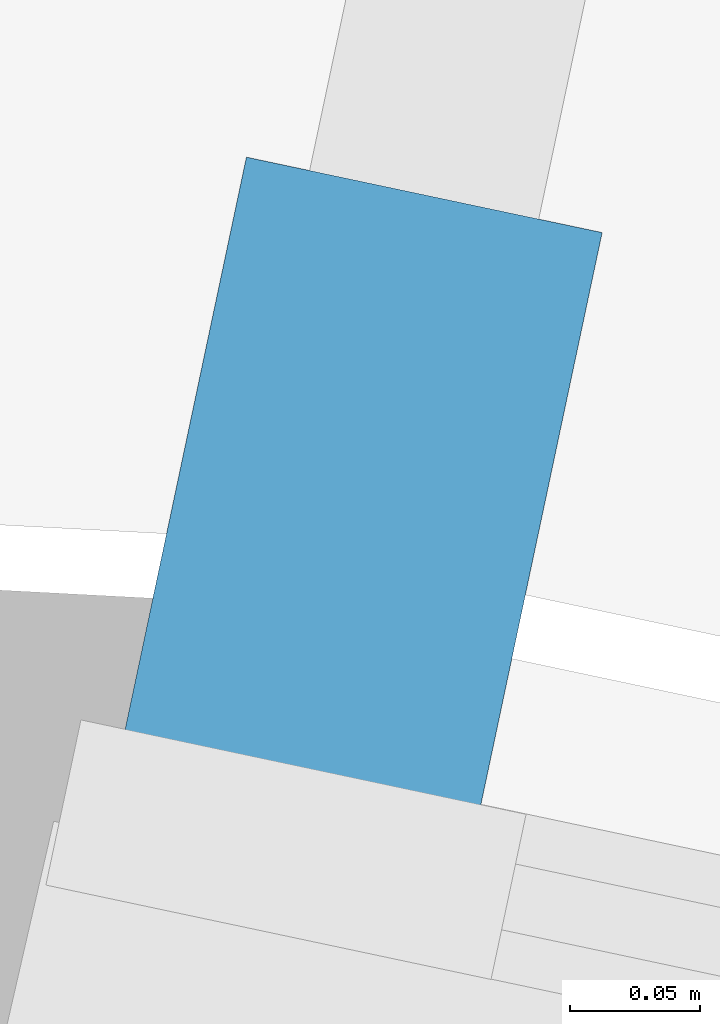
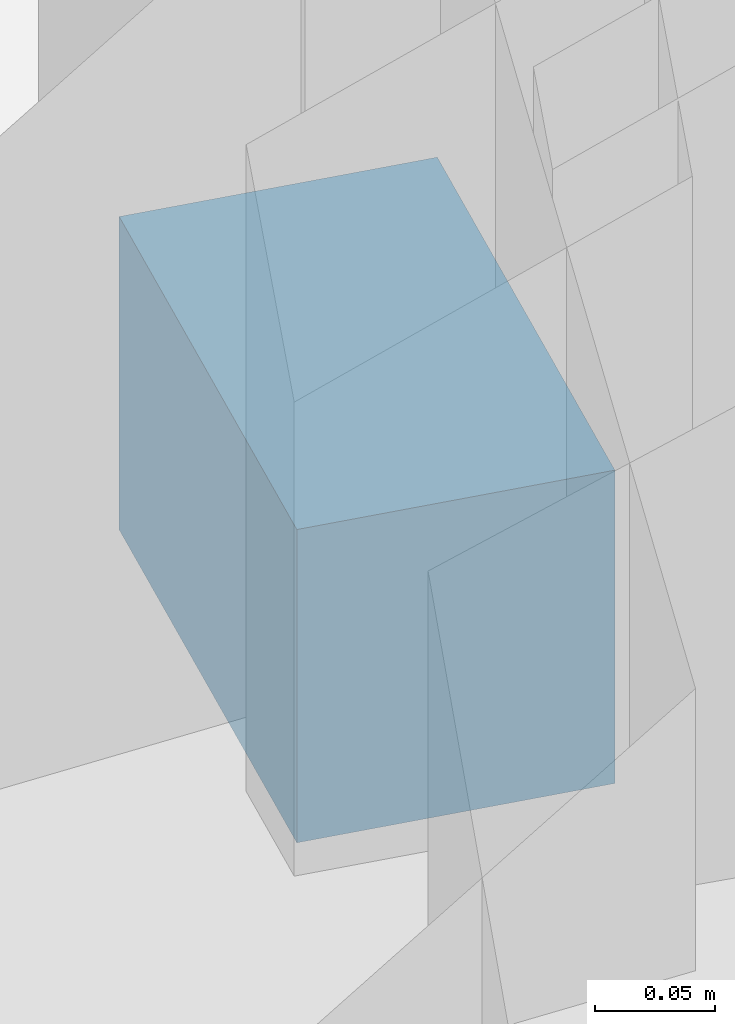
# One storey, part 10 of 14: 1 discrete accessory.
"""IFC4 building model written with IfcOpenShell, lengths in metres."""

import ifcopenshell
import ifcopenshell.guid

model = None  # the IFC model being written
_history = None  # IfcOwnerHistory: only IFC2X3 demands one
_inside = {}  # id of a spatial element -> (the spatial element, [elements in it])
_under = {}  # id of a project, library or spatial element -> (it, [spatial elements below it])
_declared = {}  # id of a project -> (the project, [libraries it declares])
_typed = {}  # id of a type object -> (the type object, [elements of that type])
_made_of = {}  # id of a material, layer set ... -> (it, [elements and type objects made of it])


def new_model(schema):
    """Start an empty IFC model of exactly this schema.

    Asked for "IFC4X3", IfcOpenShell would pick the latest addendum, in which some entities
    have other attributes; the version numbers below select the first issue.
    IFC2X3 requires an IfcOwnerHistory on every rooted entity: one is made here for all.
    """
    global model, _history
    if schema == "IFC4X3":
        model = ifcopenshell.file(schema_version=(4, 3, 0, 0))
    else:
        model = ifcopenshell.file(schema=schema)
    _inside.clear()
    _under.clear()
    _declared.clear()
    _typed.clear()
    _made_of.clear()
    _history = None
    if model.schema == "IFC2X3":
        org = make("IfcOrganization", Name="unknown")
        user = make(
            "IfcPersonAndOrganization",
            ThePerson=make("IfcPerson", FamilyName="unknown"),
            TheOrganization=org,
        )
        app = make(
            "IfcApplication",
            ApplicationDeveloper=org,
            Version="unknown",
            ApplicationFullName="unknown",
            ApplicationIdentifier="unknown",
        )
        _history = make(
            "IfcOwnerHistory",
            OwningUser=user,
            OwningApplication=app,
            ChangeAction="ADDED",
            CreationDate=0,
        )
    return model


def make(cls, **values):
    """One entity of the class cls with the attributes given. An attribute that is None is left unset."""
    return model.create_entity(
        cls, **{name: value for name, value in values.items() if value is not None}
    )


def rooted(cls, **values):
    """An entity with a GlobalId (a new one), such as an element, a storey or a relation."""
    return make(cls, GlobalId=ifcopenshell.guid.new(), OwnerHistory=_history, **values)


def si_unit(unit_type, name, prefix=None):
    """IfcSIUnit, for example si_unit("LENGTHUNIT", "METRE", prefix="MILLI")."""
    return make("IfcSIUnit", UnitType=unit_type, Prefix=prefix, Name=name)


def assignment(units):
    """IfcUnitAssignment: the units of a project."""
    return None if units is None else make("IfcUnitAssignment", Units=units)


def point(xyz):
    """IfcCartesianPoint."""
    return None if xyz is None else make("IfcCartesianPoint", Coordinates=xyz)


def direction(xyz):
    """IfcDirection."""
    return None if xyz is None else make("IfcDirection", DirectionRatios=xyz)


def frame(location, z_axis=None, x_axis=None):
    """IfcAxis2Placement3D, a coordinate frame: its origin and axes. An axis left out is left unset."""
    return make(
        "IfcAxis2Placement3D",
        Location=point(location),
        Axis=direction(z_axis),
        RefDirection=direction(x_axis),
    )


def frame_2d(location, x_axis=None):
    """IfcAxis2Placement2D, a coordinate frame in the plane: its origin and x axis."""
    return make(
        "IfcAxis2Placement2D", Location=point(location), RefDirection=direction(x_axis)
    )


def origin():
    """The frame at (0, 0, 0) with its axes left unset."""
    return frame((0.0, 0.0, 0.0))


def origin_2d():
    """The frame at (0, 0) in the plane with its x axis left unset."""
    return frame_2d((0.0, 0.0))


def place(relative_to, where):
    """IfcLocalPlacement: puts the frame where relative to a parent placement (None: the world)."""
    return make(
        "IfcLocalPlacement", PlacementRelTo=relative_to, RelativePlacement=where
    )


def context(
    kind, dimensions, precision=None, world=None, true_north=None, identifier=None
):
    """IfcGeometricRepresentationContext, for example the 3D "Model" context."""
    return make(
        "IfcGeometricRepresentationContext",
        ContextIdentifier=identifier,
        ContextType=kind,
        CoordinateSpaceDimension=dimensions,
        Precision=precision,
        WorldCoordinateSystem=world,
        TrueNorth=true_north,
    )


def subcontext(parent, identifier, kind, view, scale=None):
    """IfcGeometricRepresentationSubContext, for example "Body" below "Model"."""
    return make(
        "IfcGeometricRepresentationSubContext",
        ContextIdentifier=identifier,
        ContextType=kind,
        ParentContext=parent,
        TargetScale=scale,
        TargetView=view,
    )


def project(units=None, contexts=None):
    """IfcProject with its units and contexts."""
    return rooted(
        "IfcProject",
        Name="project",
        RepresentationContexts=contexts,
        UnitsInContext=assignment(units),
    )


def spatial(cls, under=None, at=None, **own):
    """A site, building, storey or space (cls), placed at a placement, below another one or the project."""
    s = rooted(cls, ObjectPlacement=at, **own)
    if under is not None:
        _under.setdefault(under.id(), (under, []))[1].append(s)
    return s


def profile(cls, at=None, kind="AREA", **sizes):
    """A parametric profile (cls). Its sizes go by their IFC names, for example OverallWidth=200.0."""
    return make(cls, ProfileType=kind, Position=at, **sizes)


def rectangle(**sizes):
    """IfcRectangleProfileDef."""
    return profile("IfcRectangleProfileDef", **sizes)


def extrude(swept, where, along, depth):
    """IfcExtrudedAreaSolid: the profile swept, set in the frame where, extruded along a direction by depth."""
    return make(
        "IfcExtrudedAreaSolid",
        SweptArea=swept,
        Position=where,
        ExtrudedDirection=direction(along),
        Depth=depth,
    )


def shape(context_of_items, identifier, shape_type, items):
    """IfcShapeRepresentation: the items that make up one representation, for example the "Body"."""
    return make(
        "IfcShapeRepresentation",
        ContextOfItems=context_of_items,
        RepresentationIdentifier=identifier,
        RepresentationType=shape_type,
        Items=items,
    )


def material(Name=None, Category=None):
    """IfcMaterial."""
    return make("IfcMaterial", Name=Name, Category=Category)


def made_of(thing, what):
    """Note that an element or type object is made of a material, layer set ...; save() writes the relation."""
    if what is not None:
        _made_of.setdefault(what.id(), (what, []))[1].append(thing)
    return thing


def type_object(cls, material=None, **own):
    """A type object (cls), such as IfcWallType, which elements share."""
    return made_of(rooted(cls, **own), material)


def element(
    cls,
    number,
    at=None,
    inside=None,
    cuts=None,
    type_object=None,
    material=None,
    context=None,
    identifier="Body",
    shape_type=None,
    held_by="IfcProductDefinitionShape",
    body=None,
    shapes=None,
    **own,
):
    """One element of the class cls, such as IfcWall. Its Tag is "e" and its number.

    at: its placement. inside: the storey or other place that contains it. cuts: it is an
    opening in that element (IfcRelVoidsElement). A single representation is given by context,
    identifier, shape_type and body (its items); several are given by shapes. held_by: the class
    of the entity that holds the representations. save() writes the other relations.
    """
    e = rooted(cls, Tag="e%d" % number, ObjectPlacement=at, **own)
    if body is not None:
        shapes = [shape(context, identifier, shape_type, body)]
    if shapes is not None:
        e.Representation = make(held_by, Representations=shapes)
    if inside is not None:
        _inside.setdefault(inside.id(), (inside, []))[1].append(e)
    if cuts is not None:
        rooted(
            "IfcRelVoidsElement", RelatingBuildingElement=cuts, RelatedOpeningElement=e
        )
    if type_object is not None:
        _typed.setdefault(type_object.id(), (type_object, []))[1].append(e)
    return made_of(e, material)


def aggregate(whole, parts):
    """IfcRelAggregates: a whole, such as a stair, and the parts it consists of."""
    return rooted("IfcRelAggregates", RelatingObject=whole, RelatedObjects=parts)


def save(model, path):
    """Write the relations noted so far, then the file.

    IfcRelAggregates (storeys below a building ...), IfcRelContainedInSpatialStructure (elements
    in a storey), IfcRelDefinesByType, IfcRelAssociatesMaterial and IfcRelDeclares: one each for
    every whole, place, type object, material and project.
    """
    for whole, parts in _under.values():
        aggregate(whole, parts)
    for where, things in _inside.values():
        rooted(
            "IfcRelContainedInSpatialStructure",
            RelatedElements=things,
            RelatingStructure=where,
        )
    for kind, things in _typed.values():
        rooted("IfcRelDefinesByType", RelatedObjects=things, RelatingType=kind)
    for what, things in _made_of.values():
        rooted("IfcRelAssociatesMaterial", RelatedObjects=things, RelatingMaterial=what)
    for by, libraries in _declared.values():
        rooted("IfcRelDeclares", RelatingContext=by, RelatedDefinitions=libraries)
    model.write(path)


model = new_model("IFC4")

# Units and contexts
model_context = context("Model", 3, precision=1e-05, world=origin(), true_north=direction((0.0, 1.0)))
body_context = subcontext(model_context, "Body", "Model", "MODEL_VIEW")
ifc_project = project(units=[si_unit("LENGTHUNIT", "METRE"), si_unit("AREAUNIT", "SQUARE_METRE"), si_unit("VOLUMEUNIT", "CUBIC_METRE"), si_unit("PLANEANGLEUNIT", "RADIAN"), si_unit("MASSUNIT", "GRAM", prefix="KILO")], contexts=[model_context])

# Site, building, storey
site_placement = place(None, origin())
site = spatial("IfcSite", under=ifc_project, at=site_placement, CompositionType="ELEMENT")
building_placement = place(site_placement, origin())
building = spatial("IfcBuilding", under=site, at=building_placement, Name="Veldorim Arch Residences", CompositionType="ELEMENT")
storey_placement = place(building_placement, frame((0.0, 0.0, 50.39990234375)))
storey = spatial("IfcBuildingStorey", under=building, at=storey_placement, Name="L14", CompositionType="ELEMENT", Elevation=50.39990234375)

# Discrete accessory
ifc_material = material(Name="Stainless Steel", Category="steel")
discrete_accessory_type = type_object("IfcDiscreteAccessoryType", Name="Stainless Steel Facade Fin Anchor Bracket", PredefinedType="BRACKET", material=ifc_material)
discrete_accessory_placement = place(storey_placement, frame((35.880126953125, 41.13818359375, -0.02001953125), z_axis=(0.0, 0.0, 1.0), x_axis=(0.978256328953, -0.207399505455, 0.0)))
element("IfcDiscreteAccessory", 1, at=discrete_accessory_placement, inside=storey, type_object=discrete_accessory_type, Name="L14 stainless fin anchor bracket 07", PredefinedType="BRACKET", context=body_context, shape_type="SweptSolid", body=[
    extrude(rectangle(XDim=0.139892578125, YDim=0.239990234375, at=origin_2d()), origin(), (0.0, 0.0, 1.0), 0.159912109375),
])

save(model, "model.ifc")
